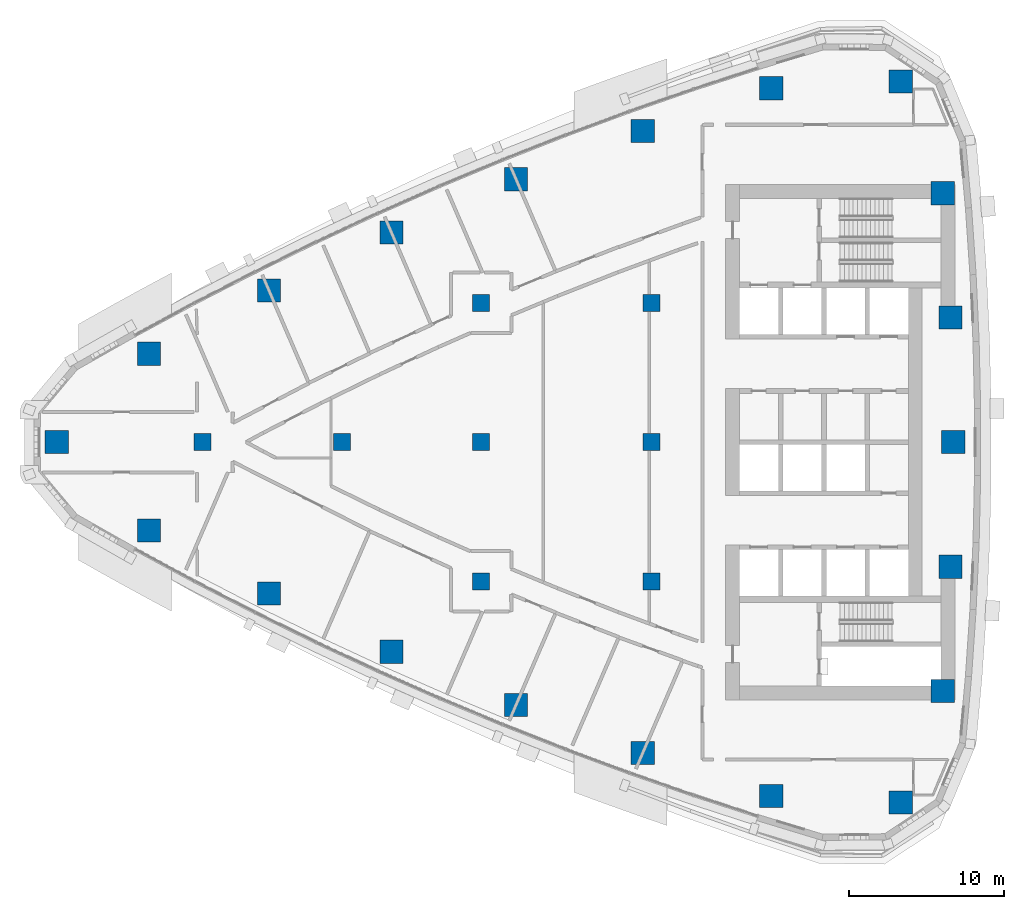
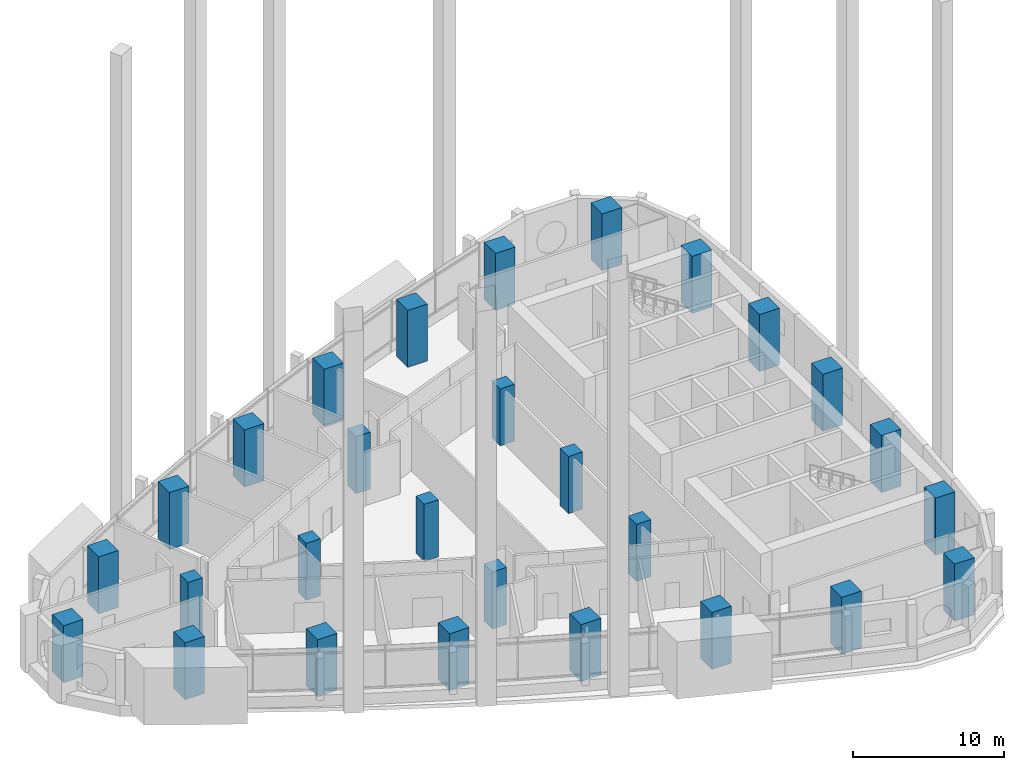
# One storey, part 1 of 17: 28 columns.
"""IFC4 building model written with IfcOpenShell, lengths in metres."""

import ifcopenshell
import ifcopenshell.guid

model = None  # the IFC model being written
_history = None  # IfcOwnerHistory: only IFC2X3 demands one
_inside = {}  # id of a spatial element -> (the spatial element, [elements in it])
_under = {}  # id of a project, library or spatial element -> (it, [spatial elements below it])
_declared = {}  # id of a project -> (the project, [libraries it declares])
_typed = {}  # id of a type object -> (the type object, [elements of that type])
_made_of = {}  # id of a material, layer set ... -> (it, [elements and type objects made of it])


def new_model(schema):
    """Start an empty IFC model of exactly this schema.

    Asked for "IFC4X3", IfcOpenShell would pick the latest addendum, in which some entities
    have other attributes; the version numbers below select the first issue.
    IFC2X3 requires an IfcOwnerHistory on every rooted entity: one is made here for all.
    """
    global model, _history
    if schema == "IFC4X3":
        model = ifcopenshell.file(schema_version=(4, 3, 0, 0))
    else:
        model = ifcopenshell.file(schema=schema)
    _inside.clear()
    _under.clear()
    _declared.clear()
    _typed.clear()
    _made_of.clear()
    _history = None
    if model.schema == "IFC2X3":
        org = make("IfcOrganization", Name="unknown")
        user = make(
            "IfcPersonAndOrganization",
            ThePerson=make("IfcPerson", FamilyName="unknown"),
            TheOrganization=org,
        )
        app = make(
            "IfcApplication",
            ApplicationDeveloper=org,
            Version="unknown",
            ApplicationFullName="unknown",
            ApplicationIdentifier="unknown",
        )
        _history = make(
            "IfcOwnerHistory",
            OwningUser=user,
            OwningApplication=app,
            ChangeAction="ADDED",
            CreationDate=0,
        )
    return model


def make(cls, **values):
    """One entity of the class cls with the attributes given. An attribute that is None is left unset."""
    return model.create_entity(
        cls, **{name: value for name, value in values.items() if value is not None}
    )


def rooted(cls, **values):
    """An entity with a GlobalId (a new one), such as an element, a storey or a relation."""
    return make(cls, GlobalId=ifcopenshell.guid.new(), OwnerHistory=_history, **values)


def si_unit(unit_type, name, prefix=None):
    """IfcSIUnit, for example si_unit("LENGTHUNIT", "METRE", prefix="MILLI")."""
    return make("IfcSIUnit", UnitType=unit_type, Prefix=prefix, Name=name)


def assignment(units):
    """IfcUnitAssignment: the units of a project."""
    return None if units is None else make("IfcUnitAssignment", Units=units)


def point(xyz):
    """IfcCartesianPoint."""
    return None if xyz is None else make("IfcCartesianPoint", Coordinates=xyz)


def direction(xyz):
    """IfcDirection."""
    return None if xyz is None else make("IfcDirection", DirectionRatios=xyz)


def frame(location, z_axis=None, x_axis=None):
    """IfcAxis2Placement3D, a coordinate frame: its origin and axes. An axis left out is left unset."""
    return make(
        "IfcAxis2Placement3D",
        Location=point(location),
        Axis=direction(z_axis),
        RefDirection=direction(x_axis),
    )


def frame_2d(location, x_axis=None):
    """IfcAxis2Placement2D, a coordinate frame in the plane: its origin and x axis."""
    return make(
        "IfcAxis2Placement2D", Location=point(location), RefDirection=direction(x_axis)
    )


def origin():
    """The frame at (0, 0, 0) with its axes left unset."""
    return frame((0.0, 0.0, 0.0))


def origin_2d():
    """The frame at (0, 0) in the plane with its x axis left unset."""
    return frame_2d((0.0, 0.0))


def place(relative_to, where):
    """IfcLocalPlacement: puts the frame where relative to a parent placement (None: the world)."""
    return make(
        "IfcLocalPlacement", PlacementRelTo=relative_to, RelativePlacement=where
    )


def context(
    kind, dimensions, precision=None, world=None, true_north=None, identifier=None
):
    """IfcGeometricRepresentationContext, for example the 3D "Model" context."""
    return make(
        "IfcGeometricRepresentationContext",
        ContextIdentifier=identifier,
        ContextType=kind,
        CoordinateSpaceDimension=dimensions,
        Precision=precision,
        WorldCoordinateSystem=world,
        TrueNorth=true_north,
    )


def subcontext(parent, identifier, kind, view, scale=None):
    """IfcGeometricRepresentationSubContext, for example "Body" below "Model"."""
    return make(
        "IfcGeometricRepresentationSubContext",
        ContextIdentifier=identifier,
        ContextType=kind,
        ParentContext=parent,
        TargetScale=scale,
        TargetView=view,
    )


def project(units=None, contexts=None):
    """IfcProject with its units and contexts."""
    return rooted(
        "IfcProject",
        Name="project",
        RepresentationContexts=contexts,
        UnitsInContext=assignment(units),
    )


def spatial(cls, under=None, at=None, **own):
    """A site, building, storey or space (cls), placed at a placement, below another one or the project."""
    s = rooted(cls, ObjectPlacement=at, **own)
    if under is not None:
        _under.setdefault(under.id(), (under, []))[1].append(s)
    return s


def profile(cls, at=None, kind="AREA", **sizes):
    """A parametric profile (cls). Its sizes go by their IFC names, for example OverallWidth=200.0."""
    return make(cls, ProfileType=kind, Position=at, **sizes)


def rectangle(**sizes):
    """IfcRectangleProfileDef."""
    return profile("IfcRectangleProfileDef", **sizes)


def extrude(swept, where, along, depth):
    """IfcExtrudedAreaSolid: the profile swept, set in the frame where, extruded along a direction by depth."""
    return make(
        "IfcExtrudedAreaSolid",
        SweptArea=swept,
        Position=where,
        ExtrudedDirection=direction(along),
        Depth=depth,
    )


def shape(context_of_items, identifier, shape_type, items):
    """IfcShapeRepresentation: the items that make up one representation, for example the "Body"."""
    return make(
        "IfcShapeRepresentation",
        ContextOfItems=context_of_items,
        RepresentationIdentifier=identifier,
        RepresentationType=shape_type,
        Items=items,
    )


def material(Name=None, Category=None):
    """IfcMaterial."""
    return make("IfcMaterial", Name=Name, Category=Category)


def material_profile(
    of_material, cross_section, Name=None, Category=None, Priority=None
):
    """IfcMaterialProfile: a cross section and its material."""
    return make(
        "IfcMaterialProfile",
        Name=Name,
        Material=of_material,
        Profile=cross_section,
        Priority=Priority,
        Category=Category,
    )


def profile_set(profiles, Name=None, composite=None):
    """IfcMaterialProfileSet."""
    return make(
        "IfcMaterialProfileSet",
        Name=Name,
        MaterialProfiles=profiles,
        CompositeProfile=composite,
    )


def made_of(thing, what):
    """Note that an element or type object is made of a material, layer set ...; save() writes the relation."""
    if what is not None:
        _made_of.setdefault(what.id(), (what, []))[1].append(thing)
    return thing


def type_object(cls, material=None, **own):
    """A type object (cls), such as IfcWallType, which elements share."""
    return made_of(rooted(cls, **own), material)


def element(
    cls,
    number,
    at=None,
    inside=None,
    cuts=None,
    type_object=None,
    material=None,
    context=None,
    identifier="Body",
    shape_type=None,
    held_by="IfcProductDefinitionShape",
    body=None,
    shapes=None,
    **own,
):
    """One element of the class cls, such as IfcWall. Its Tag is "e" and its number.

    at: its placement. inside: the storey or other place that contains it. cuts: it is an
    opening in that element (IfcRelVoidsElement). A single representation is given by context,
    identifier, shape_type and body (its items); several are given by shapes. held_by: the class
    of the entity that holds the representations. save() writes the other relations.
    """
    e = rooted(cls, Tag="e%d" % number, ObjectPlacement=at, **own)
    if body is not None:
        shapes = [shape(context, identifier, shape_type, body)]
    if shapes is not None:
        e.Representation = make(held_by, Representations=shapes)
    if inside is not None:
        _inside.setdefault(inside.id(), (inside, []))[1].append(e)
    if cuts is not None:
        rooted(
            "IfcRelVoidsElement", RelatingBuildingElement=cuts, RelatedOpeningElement=e
        )
    if type_object is not None:
        _typed.setdefault(type_object.id(), (type_object, []))[1].append(e)
    return made_of(e, material)


def aggregate(whole, parts):
    """IfcRelAggregates: a whole, such as a stair, and the parts it consists of."""
    return rooted("IfcRelAggregates", RelatingObject=whole, RelatedObjects=parts)


def save(model, path):
    """Write the relations noted so far, then the file.

    IfcRelAggregates (storeys below a building ...), IfcRelContainedInSpatialStructure (elements
    in a storey), IfcRelDefinesByType, IfcRelAssociatesMaterial and IfcRelDeclares: one each for
    every whole, place, type object, material and project.
    """
    for whole, parts in _under.values():
        aggregate(whole, parts)
    for where, things in _inside.values():
        rooted(
            "IfcRelContainedInSpatialStructure",
            RelatedElements=things,
            RelatingStructure=where,
        )
    for kind, things in _typed.values():
        rooted("IfcRelDefinesByType", RelatedObjects=things, RelatingType=kind)
    for what, things in _made_of.values():
        rooted("IfcRelAssociatesMaterial", RelatedObjects=things, RelatingMaterial=what)
    for by, libraries in _declared.values():
        rooted("IfcRelDeclares", RelatingContext=by, RelatedDefinitions=libraries)
    model.write(path)


model = new_model("IFC4")

# Units and contexts
model_context = context("Model", 3, precision=1e-05, world=origin(), true_north=direction((0.0, 1.0)))
body_context = subcontext(model_context, "Body", "Model", "MODEL_VIEW")
ifc_project = project(units=[si_unit("LENGTHUNIT", "METRE"), si_unit("AREAUNIT", "SQUARE_METRE"), si_unit("VOLUMEUNIT", "CUBIC_METRE"), si_unit("PLANEANGLEUNIT", "RADIAN"), si_unit("MASSUNIT", "GRAM", prefix="KILO")], contexts=[model_context])

# Site, building, storey
site_placement = place(None, origin())
site = spatial("IfcSite", under=ifc_project, at=site_placement, CompositionType="ELEMENT")
building_placement = place(site_placement, origin())
building = spatial("IfcBuilding", under=site, at=building_placement, Name="Ostrand Prow Hotel Tower", CompositionType="ELEMENT")
storey_placement = place(building_placement, frame((0.0, 0.0, 125.60009765625)))
storey = spatial("IfcBuildingStorey", under=building, at=storey_placement, Name="L30", CompositionType="ELEMENT", Elevation=125.60009765625)

# Columns
ifc_material_1 = material(Name="Concrete C70/85", Category="concrete")
ifc_material_profile_1 = material_profile(ifc_material_1, rectangle(XDim=1.10009765625, YDim=1.10009765625, at=origin_2d()), Name="RC 1100x1100")
ifc_profile_set_1 = profile_set([ifc_material_profile_1], Name="Concrete C70/85")
column_type_1 = type_object("IfcColumnType", Name="Interior column 1100x1100 C70/85", PredefinedType="COLUMN", material=ifc_profile_set_1)
for number, where, z_axis, x_axis, name in (
    (1, (16.0, 0.0, 0.0), (0.0, 0.0, 1.0), (1.0, 0.0, 0.0), "Interior column 16C0"),
    (2, (25.0, 0.0, 0.0), (0.0, 0.0, 1.0), (1.0, 0.0, 0.0), "Interior column 25C0"),
    (3, (34.0, -9.0, 0.0), (0.0, 0.0, 1.0), (1.0, 0.0, 0.0), "Interior column 34S9"),
    (4, (34.0, 0.0, 0.0), (0.0, 0.0, 1.0), (1.0, 0.0, 0.0), "Interior column 34C0"),
    (5, (34.0, 9.0, 0.0), (0.0, 0.0, 1.0), (1.0, 0.0, 0.0), "Interior column 34N9"),
    (6, (45.0, -9.0, 0.0), (0.0, 0.0, 1.0), (1.0, 0.0, 0.0), "Interior column 45S9"),
    (7, (45.0, 0.0, 0.0), (0.0, 0.0, 1.0), (1.0, 0.0, 0.0), "Interior column 45C0"),
    (8, (45.0, 9.0, 0.0), (0.0, 0.0, 1.0), (1.0, 0.0, 0.0), "Interior column 45N9"),
):
    element("IfcColumn", number, at=place(storey_placement, frame(where, z_axis=z_axis, x_axis=x_axis)), inside=storey, type_object=column_type_1, Name=name, PredefinedType="COLUMN", context=body_context, shape_type="SweptSolid", body=[
        extrude(rectangle(XDim=1.10009765625, YDim=1.10009765625, at=origin_2d()), origin(), (0.0, 0.0, 1.0), 4.599853515625),
    ])
ifc_material_2 = material(Name="Concrete C70/85", Category="concrete")
ifc_material_profile_2 = material_profile(ifc_material_2, rectangle(XDim=1.5, YDim=1.5, at=origin_2d()), Name="RC 1500x1500")
ifc_profile_set_2 = profile_set([ifc_material_profile_2], Name="Concrete C70/85")
column_type_2 = type_object("IfcColumnType", Name="Stone-faced mega column 1500x1500 C70/85", PredefinedType="COLUMN", material=ifc_profile_set_2)
for number, where, z_axis, x_axis, name in (
    (9, (6.580078125, 0.0, 0.0), (0.0, 0.0, 1.0), (1.0, 0.0, 0.0), "Mega column P"),
    (10, (12.55322265625, -5.712646484375, 0.0), (0.0, 0.0, 1.0), (1.0, 0.0, 0.0), "Mega column S1"),
    (11, (20.300048828125, -9.787841796875, 0.0), (0.0, 0.0, 1.0), (1.0, 0.0, 0.0), "Mega column S2"),
    (12, (28.205078125, -13.547119140625, 0.0), (0.0, 0.0, 1.0), (1.0, 0.0, 0.0), "Mega column S3"),
    (13, (36.255615234375, -16.98388671875, 0.0), (0.0, 0.0, 1.0), (1.0, 0.0, 0.0), "Mega column S4"),
    (14, (44.438232421875, -20.093017578125, 0.0), (0.0, 0.0, 1.0), (1.0, 0.0, 0.0), "Mega column S5"),
    (15, (52.73974609375, -22.869140625, 0.0), (0.0, 0.0, 1.0), (1.0, 0.0, 0.0), "Mega column S6"),
    (16, (61.117431640625, -23.29052734375, 0.0), (0.0, 0.0, 1.0), (1.0, 0.0, 0.0), "Mega column SE"),
    (17, (63.818603515625, -16.074951171875, 0.0), (0.0, 0.0, 1.0), (1.0, 0.0, 0.0), "Mega column B1"),
    (18, (64.32958984375, -8.044677734375, 0.0), (0.0, 0.0, 1.0), (1.0, 0.0, 0.0), "Mega column B2"),
    (19, (64.5, 0.0, 0.0), (0.0, 0.0, 1.0), (1.0, 0.0, 0.0), "Mega column B3"),
    (20, (64.32958984375, 8.044677734375, 0.0), (0.0, 0.0, 1.0), (1.0, 0.0, 0.0), "Mega column B4"),
    (21, (63.818603515625, 16.074951171875, 0.0), (0.0, 0.0, 1.0), (1.0, 0.0, 0.0), "Mega column B5"),
    (22, (61.117431640625, 23.29052734375, 0.0), (0.0, 0.0, 1.0), (1.0, 0.0, 0.0), "Mega column NE"),
    (23, (52.73974609375, 22.869140625, 0.0), (0.0, 0.0, 1.0), (1.0, 0.0, 0.0), "Mega column N1"),
    (24, (44.438232421875, 20.093017578125, 0.0), (0.0, 0.0, 1.0), (1.0, 0.0, 0.0), "Mega column N2"),
    (25, (36.255615234375, 16.98388671875, 0.0), (0.0, 0.0, 1.0), (1.0, 0.0, 0.0), "Mega column N3"),
    (26, (28.205078125, 13.547119140625, 0.0), (0.0, 0.0, 1.0), (1.0, 0.0, 0.0), "Mega column N4"),
    (27, (20.300048828125, 9.787841796875, 0.0), (0.0, 0.0, 1.0), (1.0, 0.0, 0.0), "Mega column N5"),
    (28, (12.55322265625, 5.712646484375, 0.0), (0.0, 0.0, 1.0), (1.0, 0.0, 0.0), "Mega column N6"),
):
    element("IfcColumn", number, at=place(storey_placement, frame(where, z_axis=z_axis, x_axis=x_axis)), inside=storey, type_object=column_type_2, Name=name, PredefinedType="COLUMN", context=body_context, shape_type="SweptSolid", body=[
        extrude(rectangle(XDim=1.5, YDim=1.5, at=origin_2d()), origin(), (0.0, 0.0, 1.0), 4.599853515625),
    ])

save(model, "model.ifc")
